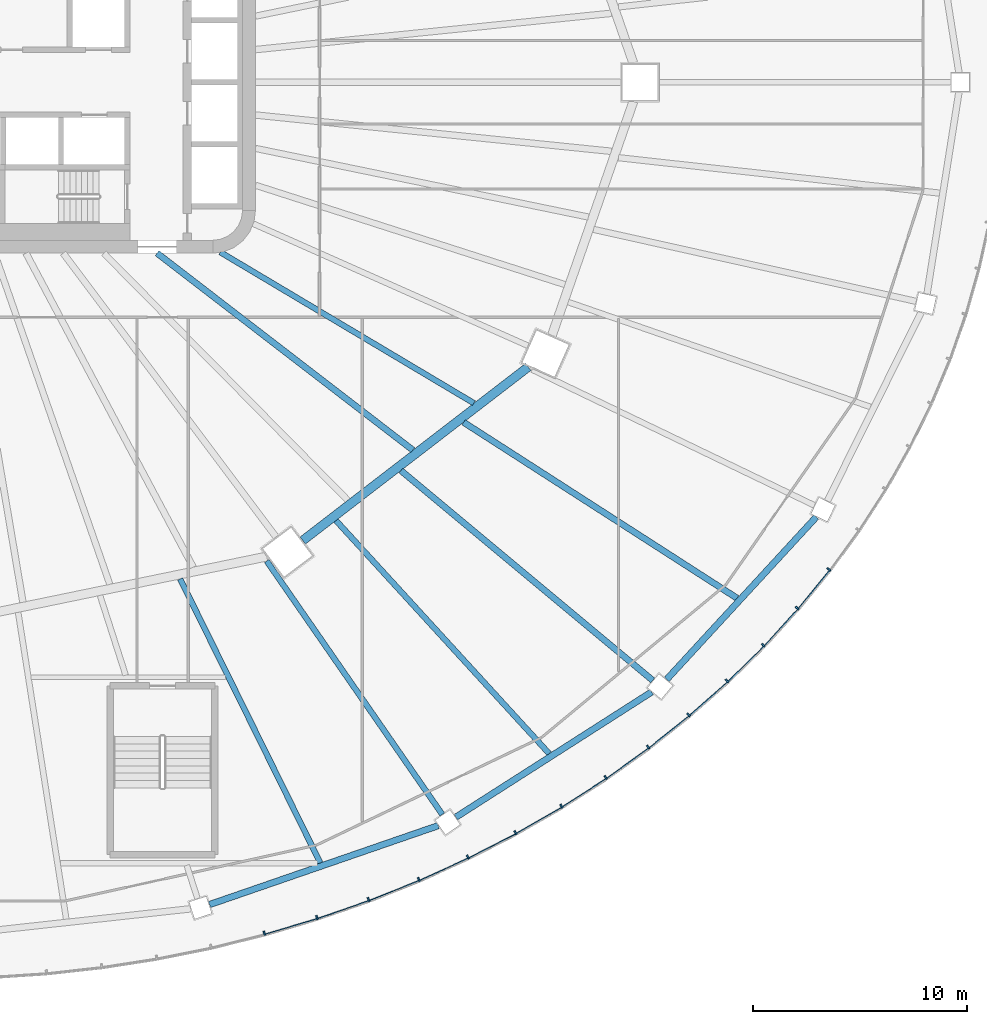
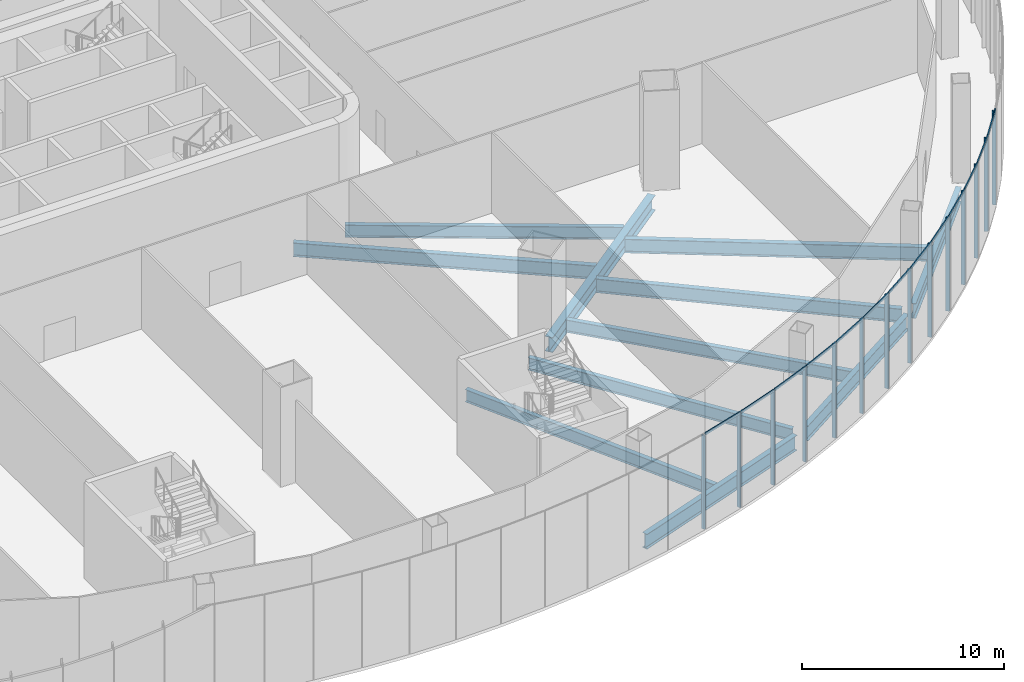
# One storey, part 9 of 37: 27 members, 11 beams, 3 elements without a shape of their own.
"""IFC4 building model written with IfcOpenShell, lengths in metres."""

from ifc_helpers import new_model, si_unit, direction, frame, origin, origin_2d, place, context, subcontext, project, spatial, rectangle, i_section, extrude, material, layer, layer_set, material_profile, profile_set, type_object, element, aggregate, save


model = new_model("IFC4")

# Units and contexts
model_context = context("Model", 3, precision=1e-05, world=origin(), true_north=direction((0.0, 1.0)))
body_context = subcontext(model_context, "Body", "Model", "MODEL_VIEW")
ifc_project = project(units=[si_unit("LENGTHUNIT", "METRE"), si_unit("AREAUNIT", "SQUARE_METRE"), si_unit("VOLUMEUNIT", "CUBIC_METRE"), si_unit("PLANEANGLEUNIT", "RADIAN"), si_unit("MASSUNIT", "GRAM", prefix="KILO")], contexts=[model_context])

# Site, building, storey
site_placement = place(None, origin())
site = spatial("IfcSite", under=ifc_project, at=site_placement, CompositionType="ELEMENT")
building_placement = place(site_placement, origin())
building = spatial("IfcBuilding", under=site, at=building_placement, Name="Sahrelin Media Tower", CompositionType="ELEMENT")
storey_placement = place(building_placement, frame((0.0, 0.0, 31.39990234375)))
storey = spatial("IfcBuildingStorey", under=building, at=storey_placement, Name="L04", CompositionType="ELEMENT", Elevation=31.39990234375)

# Curtain wall, members
ifc_material_1 = material(Name="Champagne anodised aluminium 6063-T6", Category="aluminium")
ifc_layer = layer(ifc_material_1, 0.14990234375)
ifc_layer_set = layer_set([ifc_layer], Name="Podium ribbon curtain wall")
curtain_wall_type = type_object("IfcCurtainWallType", Name="Podium ribbon curtain wall", PredefinedType="NOTDEFINED", material=ifc_layer_set)
curtain_wall_1_placement = place(storey_placement, frame((12.94091796875, -40.56884765625, 0.0), z_axis=(0.0, 0.0, 1.0), x_axis=(1.0, 0.0, 0.0)))
curtain_wall_1 = element("IfcCurtainWall", 1, at=curtain_wall_1_placement, inside=storey, type_object=curtain_wall_type, Name="L04:CW:L04-P19", PredefinedType="NOTDEFINED")
ifc_material_profile_1 = material_profile(ifc_material_1, rectangle(XDim=0.080078125, YDim=0.199951171875, at=origin_2d()), Name="Mullion 80x200")
ifc_profile_set_1 = profile_set([ifc_material_profile_1], Name="Champagne anodised aluminium 6063-T6")
member_type_1 = type_object("IfcMemberType", Name="Mullion 80x200 CW5", PredefinedType="MULLION", material=ifc_profile_set_1)
member_1_placement = place(storey_placement, frame((15.41650390625, -39.829345703125, 0.0), z_axis=(0.0, 0.0, 1.0), x_axis=(0.958494922328, 0.285109599754, 0.0)))
member_1 = element("IfcMember", 2, at=member_1_placement, type_object=member_type_1, Name="L04:CWM2:L04-P19", PredefinedType="MULLION", context=body_context, shape_type="SweptSolid", body=[
    extrude(rectangle(XDim=0.080078125, YDim=0.199951171875, at=origin_2d()), origin(), (0.0, 0.0, 1.0), 5.650146484375),
])
member_2_placement = place(storey_placement, frame((17.87890625, -39.09716796875, 0.0), z_axis=(0.0, 0.0, 1.0), x_axis=(0.944458420046, 0.328630937077, 0.0)))
member_2 = element("IfcMember", 3, at=member_2_placement, type_object=member_type_1, Name="L04:CWM3:L04-P19", PredefinedType="MULLION", context=body_context, shape_type="SweptSolid", body=[
    extrude(rectangle(XDim=0.080078125, YDim=0.199951171875, at=origin_2d()), origin(), (0.0, 0.0, 1.0), 5.650146484375),
])
member_3_placement = place(storey_placement, frame((20.292236328125, -38.257568359375, 0.0), z_axis=(0.0, 0.0, 1.0), x_axis=(0.928270482181, 0.371905783648, 0.0)))
member_3 = element("IfcMember", 4, at=member_3_placement, type_object=member_type_1, Name="L04:CWM4:L04-P19", PredefinedType="MULLION", context=body_context, shape_type="SweptSolid", body=[
    extrude(rectangle(XDim=0.080078125, YDim=0.199951171875, at=origin_2d()), origin(), (0.0, 0.0, 1.0), 5.650146484375),
])
member_4_placement = place(storey_placement, frame((22.649658203125, -37.31298828125, 0.0), z_axis=(0.0, 0.0, 1.0), x_axis=(0.909841810065, 0.414955275491, 0.0)))
member_4 = element("IfcMember", 5, at=member_4_placement, type_object=member_type_1, Name="L04:CWM5:L04-P19", PredefinedType="MULLION", context=body_context, shape_type="SweptSolid", body=[
    extrude(rectangle(XDim=0.080078125, YDim=0.199951171875, at=origin_2d()), origin(), (0.0, 0.0, 1.0), 5.650146484375),
])

curtain_wall_2_placement = place(storey_placement, frame((25.0, -36.373046875, 0.0), z_axis=(0.0, 0.0, 1.0), x_axis=(1.0, 0.0, 0.0)))
curtain_wall_2 = element("IfcCurtainWall", 6, at=curtain_wall_2_placement, inside=storey, type_object=curtain_wall_type, Name="L04:CW:L04-P20", PredefinedType="NOTDEFINED")
member_5_placement = place(storey_placement, frame((24.945068359375, -36.266357421875, 0.0), z_axis=(0.0, 0.0, 1.0), x_axis=(0.889123403251, 0.457667536309, 0.0)))
member_5 = element("IfcMember", 7, at=member_5_placement, type_object=member_type_1, Name="L04:CWM1:L04-P20", PredefinedType="MULLION", context=body_context, shape_type="SweptSolid", body=[
    extrude(rectangle(XDim=0.080078125, YDim=0.199951171875, at=origin_2d()), origin(), (0.0, 0.0, 1.0), 5.650146484375),
])
member_6_placement = place(storey_placement, frame((27.172119140625, -35.120361328125, 0.0), z_axis=(0.0, 0.0, 1.0), x_axis=(0.866028894422, 0.49999395399, 0.0)))
member_6 = element("IfcMember", 8, at=member_6_placement, type_object=member_type_1, Name="L04:CWM2:L04-P20", PredefinedType="MULLION", context=body_context, shape_type="SweptSolid", body=[
    extrude(rectangle(XDim=0.080078125, YDim=0.199951171875, at=origin_2d()), origin(), (0.0, 0.0, 1.0), 5.650146484375),
])
member_7_placement = place(storey_placement, frame((29.32421875, -33.877685546875, 0.0), z_axis=(0.0, 0.0, 1.0), x_axis=(0.840519327336, 0.541781561494, 0.0)))
member_7 = element("IfcMember", 9, at=member_7_placement, type_object=member_type_1, Name="L04:CWM3:L04-P20", PredefinedType="MULLION", context=body_context, shape_type="SweptSolid", body=[
    extrude(rectangle(XDim=0.080078125, YDim=0.199951171875, at=origin_2d()), origin(), (0.0, 0.0, 1.0), 5.650146484375),
])
member_8_placement = place(storey_placement, frame((31.39599609375, -32.54248046875, 0.0), z_axis=(0.0, 0.0, 1.0), x_axis=(0.812532432251, 0.582915985834, 0.0)))
member_8 = element("IfcMember", 10, at=member_8_placement, type_object=member_type_1, Name="L04:CWM4:L04-P20", PredefinedType="MULLION", context=body_context, shape_type="SweptSolid", body=[
    extrude(rectangle(XDim=0.080078125, YDim=0.199951171875, at=origin_2d()), origin(), (0.0, 0.0, 1.0), 5.650146484375),
])
member_9_placement = place(storey_placement, frame((33.381591796875, -31.118408203125, 0.0), z_axis=(0.0, 0.0, 1.0), x_axis=(0.781960183728, 0.623328381405, 0.0)))
member_9 = element("IfcMember", 11, at=member_9_placement, type_object=member_type_1, Name="L04:CWM5:L04-P20", PredefinedType="MULLION", context=body_context, shape_type="SweptSolid", body=[
    extrude(rectangle(XDim=0.080078125, YDim=0.199951171875, at=origin_2d()), origin(), (0.0, 0.0, 1.0), 5.650146484375),
])

curtain_wall_3_placement = place(storey_placement, frame((35.355224609375, -29.698486328125, 0.0), z_axis=(0.0, 0.0, 1.0), x_axis=(1.0, 0.0, 0.0)))
curtain_wall_3 = element("IfcCurtainWall", 12, at=curtain_wall_3_placement, inside=storey, type_object=curtain_wall_type, Name="L04:CW:L04-P21", PredefinedType="NOTDEFINED")
member_10_placement = place(storey_placement, frame((35.27587890625, -29.608642578125, 0.0), z_axis=(0.0, 0.0, 1.0), x_axis=(0.748788005735, 0.662809567272, 0.0)))
member_10 = element("IfcMember", 13, at=member_10_placement, type_object=member_type_1, Name="L04:CWM1:L04-P21", PredefinedType="MULLION", context=body_context, shape_type="SweptSolid", body=[
    extrude(rectangle(XDim=0.080078125, YDim=0.199951171875, at=origin_2d()), origin(), (0.0, 0.0, 1.0), 5.650146484375),
])
member_11_placement = place(storey_placement, frame((37.072998046875, -28.017822265625, 0.0), z_axis=(0.0, 0.0, 1.0), x_axis=(0.712973923933, 0.70119054742, 0.0)))
member_11 = element("IfcMember", 14, at=member_11_placement, type_object=member_type_1, Name="L04:CWM2:L04-P21", PredefinedType="MULLION", context=body_context, shape_type="SweptSolid", body=[
    extrude(rectangle(XDim=0.080078125, YDim=0.199951171875, at=origin_2d()), origin(), (0.0, 0.0, 1.0), 5.650146484375),
])
member_12_placement = place(storey_placement, frame((38.768798828125, -26.3505859375, 0.0), z_axis=(0.0, 0.0, 1.0), x_axis=(0.67442997344, 0.738338818514, 0.0)))
member_12 = element("IfcMember", 15, at=member_12_placement, type_object=member_type_1, Name="L04:CWM3:L04-P21", PredefinedType="MULLION", context=body_context, shape_type="SweptSolid", body=[
    extrude(rectangle(XDim=0.080078125, YDim=0.199951171875, at=origin_2d()), origin(), (0.0, 0.0, 1.0), 5.650146484375),
])
member_13_placement = place(storey_placement, frame((40.35791015625, -24.611083984375, 0.0), z_axis=(0.0, 0.0, 1.0), x_axis=(0.633234995933, 0.77395958546, 0.0)))
member_13 = element("IfcMember", 16, at=member_13_placement, type_object=member_type_1, Name="L04:CWM4:L04-P21", PredefinedType="MULLION", context=body_context, shape_type="SweptSolid", body=[
    extrude(rectangle(XDim=0.080078125, YDim=0.199951171875, at=origin_2d()), origin(), (0.0, 0.0, 1.0), 5.650146484375),
])
member_14_placement = place(storey_placement, frame((41.836669921875, -22.80419921875, 0.0), z_axis=(0.0, 0.0, 1.0), x_axis=(0.589385309161, 0.807852064022, 0.0)))
member_14 = element("IfcMember", 17, at=member_14_placement, type_object=member_type_1, Name="L04:CWM5:L04-P21", PredefinedType="MULLION", context=body_context, shape_type="SweptSolid", body=[
    extrude(rectangle(XDim=0.080078125, YDim=0.199951171875, at=origin_2d()), origin(), (0.0, 0.0, 1.0), 5.650146484375),
])

# Beams
ifc_material_2 = material(Name="Steel S355", Category="steel")
ifc_material_profile_2 = material_profile(ifc_material_2, i_section(OverallWidth=0.30322265625, OverallDepth=0.903076171875, WebThickness=0.01513671875, FlangeThickness=0.020263671875, FilletRadius=0.01904296875, at=origin_2d()), Name="UB 914x305x201")
ifc_profile_set_2 = profile_set([ifc_material_profile_2], Name="Steel S355")
beam_type_1 = type_object("IfcBeamType", Name="Podium edge girder PE11", PredefinedType="BEAM", material=ifc_profile_set_2)
beam_1_placement = place(storey_placement, frame((12.848876953125, -38.489990234375, -0.6513671875), z_axis=(0.94527240249, 0.32628221694, 0.0), x_axis=(-0.32628221694, 0.94527240249, 0.0)))
element("IfcBeam", 18, at=beam_1_placement, inside=storey, type_object=beam_type_1, Name="Podium edge girder L04-20", PredefinedType="BEAM", context=body_context, shape_type="SweptSolid", body=[
    extrude(i_section(OverallWidth=0.30322265625, OverallDepth=0.903076171875, WebThickness=0.01513671875, FlangeThickness=0.020263671875, FilletRadius=0.01904296875, at=origin_2d()), origin(), (0.0, 0.0, 1.0), 11.329345703125),
])
beam_2_placement = place(storey_placement, frame((24.37939453125, -34.3984375, -0.6513671875), z_axis=(0.842485743715, 0.538718638657, 0.0), x_axis=(-0.538718638657, 0.842485743715, 0.0)))
element("IfcBeam", 19, at=beam_2_placement, inside=storey, type_object=beam_type_1, Name="Podium edge girder L04-21", PredefinedType="BEAM", context=body_context, shape_type="SweptSolid", body=[
    extrude(i_section(OverallWidth=0.30322265625, OverallDepth=0.903076171875, WebThickness=0.01513671875, FlangeThickness=0.020263671875, FilletRadius=0.01904296875, at=origin_2d()), origin(), (0.0, 0.0, 1.0), 10.87744140625),
])
beam_3_placement = place(storey_placement, frame((34.246337890625, -27.952880859375, -0.6513671875), z_axis=(0.677370529771, 0.735642008995, 0.0), x_axis=(-0.735642008995, 0.677370529771, 0.0)))
element("IfcBeam", 20, at=beam_3_placement, inside=storey, type_object=beam_type_1, Name="Podium edge girder L04-22", PredefinedType="BEAM", context=body_context, shape_type="SweptSolid", body=[
    extrude(i_section(OverallWidth=0.30322265625, OverallDepth=0.903076171875, WebThickness=0.01513671875, FlangeThickness=0.020263671875, FilletRadius=0.01904296875, at=origin_2d()), origin(), (0.0, 0.0, 1.0), 10.340087890625),
])
ifc_material_profile_3 = material_profile(ifc_material_2, i_section(OverallWidth=0.41845703125, OverallDepth=0.911865234375, WebThickness=0.019287109375, FlangeThickness=0.031982421875, FilletRadius=0.024169921875, at=origin_2d()), Name="UB 914x419x343")
ifc_profile_set_3 = profile_set([ifc_material_profile_3], Name="Steel S355")
beam_type_2 = type_object("IfcBeamType", Name="Podium ring girder PG12", PredefinedType="BEAM", material=ifc_profile_set_3)
beam_4_placement = place(storey_placement, frame((17.21337890625, -21.447998046875, -0.65576171875), z_axis=(0.792445416108, 0.609942835428, 0.0), x_axis=(-0.609942835428, 0.792445416108, 0.0)))
element("IfcBeam", 21, at=beam_4_placement, inside=storey, type_object=beam_type_2, Name="Podium girder L04-11", PredefinedType="BEAM", context=body_context, shape_type="SweptSolid", body=[
    extrude(i_section(OverallWidth=0.41845703125, OverallDepth=0.911865234375, WebThickness=0.019287109375, FlangeThickness=0.031982421875, FilletRadius=0.024169921875, at=origin_2d()), origin(), (0.0, 0.0, 1.0), 13.318603515625),
])
ifc_material_profile_4 = material_profile(ifc_material_2, i_section(OverallWidth=0.291748046875, OverallDepth=0.8349609375, WebThickness=0.013916015625, FlangeThickness=0.018798828125, FilletRadius=0.017822265625, at=origin_2d()), Name="UB 838x292x176")
ifc_profile_set_4 = profile_set([ifc_material_profile_4], Name="Steel S355")
beam_type_3 = type_object("IfcBeamType", Name="Radial primary beam PB10", PredefinedType="BEAM", material=ifc_profile_set_4)
beam_5_placement = place(storey_placement, frame((10.393798828125, -8.0, -0.6171875), z_axis=(0.79244196099, -0.609947324335, 0.0), x_axis=(0.609947324335, 0.79244196099, 0.0)))
element("IfcBeam", 22, at=beam_5_placement, inside=storey, type_object=beam_type_3, Name="Radial beam L04-22", PredefinedType="BEAM", context=body_context, shape_type="SweptSolid", body=[
    extrude(i_section(OverallWidth=0.291748046875, OverallDepth=0.8349609375, WebThickness=0.013916015625, FlangeThickness=0.018798828125, FilletRadius=0.017822265625, at=origin_2d()), origin(), (0.0, 0.0, 1.0), 15.1103515625),
])
beam_6_placement = place(storey_placement, frame((21.809326171875, -18.174560546875, -0.6171875), z_axis=(0.768229105739, -0.640175008178, 0.0), x_axis=(0.640175008178, 0.768229105739, 0.0)))
element("IfcBeam", 23, at=beam_6_placement, inside=storey, type_object=beam_type_3, Name="Radial beam L04-26", PredefinedType="BEAM", context=body_context, shape_type="SweptSolid", body=[
    extrude(i_section(OverallWidth=0.291748046875, OverallDepth=0.8349609375, WebThickness=0.013916015625, FlangeThickness=0.018798828125, FilletRadius=0.017822265625, at=origin_2d()), origin(), (0.0, 0.0, 1.0), 15.342041015625),
])
ifc_material_profile_5 = material_profile(ifc_material_2, i_section(OverallWidth=0.26513671875, OverallDepth=0.75390625, WebThickness=0.0126953125, FlangeThickness=0.017578125, FilletRadius=0.0166015625, at=origin_2d()), Name="UB 762x267x147")
ifc_profile_set_5 = profile_set([ifc_material_profile_5], Name="Steel S355")
beam_type_4 = type_object("IfcBeamType", Name="Radial primary beam PB9", PredefinedType="BEAM", material=ifc_profile_set_5)
beam_7_placement = place(storey_placement, frame((15.527099609375, -22.411376953125, -0.576904296875), z_axis=(0.569493278726, -0.821995988729, 0.0), x_axis=(0.821995988729, 0.569493278726, 0.0)))
element("IfcBeam", 24, at=beam_7_placement, inside=storey, type_object=beam_type_4, Name="Radial beam L04-25", PredefinedType="BEAM", context=body_context, shape_type="SweptSolid", body=[
    extrude(i_section(OverallWidth=0.26513671875, OverallDepth=0.75390625, WebThickness=0.0126953125, FlangeThickness=0.017578125, FilletRadius=0.0166015625, at=origin_2d()), origin(), (0.0, 0.0, 1.0), 14.427734375),
])
ifc_material_profile_6 = material_profile(ifc_material_2, i_section(OverallWidth=0.291748046875, OverallDepth=0.8349609375, WebThickness=0.013916015625, FlangeThickness=0.018798828125, FilletRadius=0.017822265625, at=origin_2d()), Name="UB 838x292x176")
ifc_profile_set_6 = profile_set([ifc_material_profile_6], Name="Steel S355")
beam_type_5 = type_object("IfcBeamType", Name="Radial secondary beam SB10", PredefinedType="BEAM", material=ifc_profile_set_6)
beam_8_placement = place(storey_placement, frame((24.744140625, -15.91552734375, -0.6171875), z_axis=(0.84104292767, -0.540968385228, 0.0), x_axis=(0.540968385228, 0.84104292767, 0.0)))
element("IfcBeam", 25, at=beam_8_placement, inside=storey, type_object=beam_type_5, Name="Secondary beam L04-22", PredefinedType="BEAM", context=body_context, shape_type="SweptSolid", body=[
    extrude(i_section(OverallWidth=0.291748046875, OverallDepth=0.8349609375, WebThickness=0.013916015625, FlangeThickness=0.018798828125, FilletRadius=0.017822265625, at=origin_2d()), origin(), (0.0, 0.0, 1.0), 15.218505859375),
])
ifc_material_profile_7 = material_profile(ifc_material_2, i_section(OverallWidth=0.26513671875, OverallDepth=0.75390625, WebThickness=0.0126953125, FlangeThickness=0.017578125, FilletRadius=0.0166015625, at=origin_2d()), Name="UB 762x267x147")
ifc_profile_set_7 = profile_set([ifc_material_profile_7], Name="Steel S355")
beam_type_6 = type_object("IfcBeamType", Name="Radial secondary beam SB9", PredefinedType="BEAM", material=ifc_profile_set_7)
beam_9_placement = place(storey_placement, frame((13.356201171875, -7.953125, -0.576904296875), z_axis=(0.859199265621, -0.511641106594, 0.0), x_axis=(0.511641106594, 0.859199265621, 0.0)))
element("IfcBeam", 26, at=beam_9_placement, inside=storey, type_object=beam_type_6, Name="Secondary beam L04-22", PredefinedType="BEAM", context=body_context, shape_type="SweptSolid", body=[
    extrude(i_section(OverallWidth=0.26513671875, OverallDepth=0.75390625, WebThickness=0.0126953125, FlangeThickness=0.017578125, FilletRadius=0.0166015625, at=origin_2d()), origin(), (0.0, 0.0, 1.0), 13.810791015625),
])
beam_10_placement = place(storey_placement, frame((11.47412109375, -23.247314453125, -0.576904296875), z_axis=(0.442602611298, -0.896717864477, 0.0), x_axis=(0.896717864477, 0.442602611298, 0.0)))
element("IfcBeam", 27, at=beam_10_placement, inside=storey, type_object=beam_type_6, Name="Secondary beam L04-20", PredefinedType="BEAM", context=body_context, shape_type="SweptSolid", body=[
    extrude(i_section(OverallWidth=0.26513671875, OverallDepth=0.75390625, WebThickness=0.0126953125, FlangeThickness=0.017578125, FilletRadius=0.0166015625, at=origin_2d()), origin(), (0.0, 0.0, 1.0), 14.8232421875),
])
beam_11_placement = place(storey_placement, frame((18.7685546875, -20.514892578125, -0.576904296875), z_axis=(0.675004282666, -0.737813810106, 0.0), x_axis=(0.737813810106, 0.675004282666, 0.0)))
element("IfcBeam", 28, at=beam_11_placement, inside=storey, type_object=beam_type_6, Name="Secondary beam L04-21", PredefinedType="BEAM", context=body_context, shape_type="SweptSolid", body=[
    extrude(i_section(OverallWidth=0.26513671875, OverallDepth=0.75390625, WebThickness=0.0126953125, FlangeThickness=0.017578125, FilletRadius=0.0166015625, at=origin_2d()), origin(), (0.0, 0.0, 1.0), 14.7861328125),
])

# Member
ifc_material_profile_8 = material_profile(ifc_material_1, rectangle(XDim=0.06005859375, YDim=0.14990234375, at=origin_2d()), Name="Transom 60x150")
ifc_profile_set_8 = profile_set([ifc_material_profile_8], Name="Champagne anodised aluminium 6063-T6")
member_type_2 = type_object("IfcMemberType", Name="Transom 60x150 CW5", PredefinedType="USERDEFINED", material=ifc_profile_set_8)
member_15_placement = place(storey_placement, frame((15.484619140625, -39.882080078125, 5.72509765625), z_axis=(0.958515646139, 0.285039920199, 0.0), x_axis=(-0.285039920199, 0.958515646139, 0.0)))
member_15 = element("IfcMember", 29, at=member_15_placement, type_object=member_type_2, Name="L04:CWT2a:L04-P19", ObjectType="TRANSOM", PredefinedType="USERDEFINED", context=body_context, shape_type="SweptSolid", body=[
    extrude(rectangle(XDim=0.06005859375, YDim=0.14990234375, at=origin_2d()), origin(), (0.0, 0.0, 1.0), 2.524169921875),
])

member_16_placement = place(storey_placement, frame((17.94921875, -39.146728515625, 5.72509765625), z_axis=(0.944469242615, 0.328599832248, 0.0), x_axis=(-0.328599832248, 0.944469242615, 0.0)))
member_16 = element("IfcMember", 30, at=member_16_placement, type_object=member_type_2, Name="L04:CWT3a:L04-P19", ObjectType="TRANSOM", PredefinedType="USERDEFINED", context=body_context, shape_type="SweptSolid", body=[
    extrude(rectangle(XDim=0.06005859375, YDim=0.14990234375, at=origin_2d()), origin(), (0.0, 0.0, 1.0), 2.510498046875),
])

member_17_placement = place(storey_placement, frame((20.364501953125, -38.303955078125, 5.72509765625), z_axis=(0.928280887293, 0.371879811615, 0.0), x_axis=(-0.371879811615, 0.928280887293, 0.0)))
member_17 = element("IfcMember", 31, at=member_17_placement, type_object=member_type_2, Name="L04:CWT4a:L04-P19", ObjectType="TRANSOM", PredefinedType="USERDEFINED", context=body_context, shape_type="SweptSolid", body=[
    extrude(rectangle(XDim=0.06005859375, YDim=0.14990234375, at=origin_2d()), origin(), (0.0, 0.0, 1.0), 2.495361328125),
])

member_18_placement = place(storey_placement, frame((22.72412109375, -37.356201171875, 5.72509765625), z_axis=(0.909832749786, 0.414975140722, 0.0), x_axis=(-0.414975140722, 0.909832749786, 0.0)))
member_18 = element("IfcMember", 32, at=member_18_placement, type_object=member_type_2, Name="L04:CWT5a:L04-P19", ObjectType="TRANSOM", PredefinedType="USERDEFINED", context=body_context, shape_type="SweptSolid", body=[
    extrude(rectangle(XDim=0.06005859375, YDim=0.14990234375, at=origin_2d()), origin(), (0.0, 0.0, 1.0), 2.478515625),
])

aggregate(curtain_wall_1, [member_1, member_15, member_2, member_16, member_3, member_17, member_4, member_18])

member_19_placement = place(storey_placement, frame((25.021484375, -36.305908203125, 5.72509765625), z_axis=(0.88908592798, 0.457740333233, 0.0), x_axis=(-0.457740333233, 0.88908592798, 0.0)))
member_19 = element("IfcMember", 33, at=member_19_placement, type_object=member_type_2, Name="L04:CWT1a:L04-P20", ObjectType="TRANSOM", PredefinedType="USERDEFINED", context=body_context, shape_type="SweptSolid", body=[
    extrude(rectangle(XDim=0.06005859375, YDim=0.14990234375, at=origin_2d()), origin(), (0.0, 0.0, 1.0), 2.46044921875),
])

member_20_placement = place(storey_placement, frame((27.250244140625, -35.156005859375, 5.72509765625), z_axis=(0.86599404773, 0.500054306346, 0.0), x_axis=(-0.500054306346, 0.86599404773, 0.0)))
member_20 = element("IfcMember", 34, at=member_20_placement, type_object=member_type_2, Name="L04:CWT2a:L04-P20", ObjectType="TRANSOM", PredefinedType="USERDEFINED", context=body_context, shape_type="SweptSolid", body=[
    extrude(rectangle(XDim=0.06005859375, YDim=0.14990234375, at=origin_2d()), origin(), (0.0, 0.0, 1.0), 2.441162109375),
])

member_21_placement = place(storey_placement, frame((29.404296875, -33.90966796875, 5.72509765625), z_axis=(0.840515923585, 0.541786842033, 0.0), x_axis=(-0.541786842033, 0.840515923585, 0.0)))
member_21 = element("IfcMember", 35, at=member_21_placement, type_object=member_type_2, Name="L04:CWT3a:L04-P20", ObjectType="TRANSOM", PredefinedType="USERDEFINED", context=body_context, shape_type="SweptSolid", body=[
    extrude(rectangle(XDim=0.06005859375, YDim=0.14990234375, at=origin_2d()), origin(), (0.0, 0.0, 1.0), 2.420654296875),
])

member_22_placement = place(storey_placement, frame((31.4775390625, -32.5703125, 5.72509765625), z_axis=(0.812528823306, 0.582921016345, 0.0), x_axis=(-0.582921016345, 0.812528823306, 0.0)))
member_22 = element("IfcMember", 36, at=member_22_placement, type_object=member_type_2, Name="L04:CWT4a:L04-P20", ObjectType="TRANSOM", PredefinedType="USERDEFINED", context=body_context, shape_type="SweptSolid", body=[
    extrude(rectangle(XDim=0.06005859375, YDim=0.14990234375, at=origin_2d()), origin(), (0.0, 0.0, 1.0), 2.39990234375),
])

member_23_placement = place(storey_placement, frame((33.46435546875, -31.141845703125, 5.72509765625), z_axis=(0.781989191913, 0.623291989144, 0.0), x_axis=(-0.623291989144, 0.781989191913, 0.0)))
member_23 = element("IfcMember", 37, at=member_23_placement, type_object=member_type_2, Name="L04:CWT5a:L04-P20", ObjectType="TRANSOM", PredefinedType="USERDEFINED", context=body_context, shape_type="SweptSolid", body=[
    extrude(rectangle(XDim=0.06005859375, YDim=0.14990234375, at=origin_2d()), origin(), (0.0, 0.0, 1.0), 2.37841796875),
])

aggregate(curtain_wall_2, [member_5, member_19, member_6, member_20, member_7, member_21, member_8, member_22, member_9, member_23])

member_24_placement = place(storey_placement, frame((35.359619140625, -29.6279296875, 5.72509765625), z_axis=(0.74879678706, 0.662799646717, 0.0), x_axis=(-0.662799646717, 0.74879678706, 0.0)))
member_24 = element("IfcMember", 38, at=member_24_placement, type_object=member_type_2, Name="L04:CWT1a:L04-P21", ObjectType="TRANSOM", PredefinedType="USERDEFINED", context=body_context, shape_type="SweptSolid", body=[
    extrude(rectangle(XDim=0.06005859375, YDim=0.14990234375, at=origin_2d()), origin(), (0.0, 0.0, 1.0), 2.356201171875),
])

member_25_placement = place(storey_placement, frame((37.15771484375, -28.03271484375, 5.72509765625), z_axis=(0.713042850278, 0.70112045589, 0.0), x_axis=(-0.70112045589, 0.713042850278, 0.0)))
member_25 = element("IfcMember", 39, at=member_25_placement, type_object=member_type_2, Name="L04:CWT2a:L04-P21", ObjectType="TRANSOM", PredefinedType="USERDEFINED", context=body_context, shape_type="SweptSolid", body=[
    extrude(rectangle(XDim=0.06005859375, YDim=0.14990234375, at=origin_2d()), origin(), (0.0, 0.0, 1.0), 2.33447265625),
])

member_26_placement = place(storey_placement, frame((38.85400390625, -26.36083984375, 5.72509765625), z_axis=(0.674452068042, 0.738318635762, 0.0), x_axis=(-0.738318635762, 0.674452068042, 0.0)))
member_26 = element("IfcMember", 40, at=member_26_placement, type_object=member_type_2, Name="L04:CWT3a:L04-P21", ObjectType="TRANSOM", PredefinedType="USERDEFINED", context=body_context, shape_type="SweptSolid", body=[
    extrude(rectangle(XDim=0.06005859375, YDim=0.14990234375, at=origin_2d()), origin(), (0.0, 0.0, 1.0), 2.312744140625),
])

member_27_placement = place(storey_placement, frame((40.44384765625, -24.61669921875, 5.72509765625), z_axis=(0.633168167393, 0.774014258137, 0.0), x_axis=(-0.774014258137, 0.633168167393, 0.0)))
member_27 = element("IfcMember", 41, at=member_27_placement, type_object=member_type_2, Name="L04:CWT4a:L04-P21", ObjectType="TRANSOM", PredefinedType="USERDEFINED", context=body_context, shape_type="SweptSolid", body=[
    extrude(rectangle(XDim=0.06005859375, YDim=0.14990234375, at=origin_2d()), origin(), (0.0, 0.0, 1.0), 2.29150390625),
])

aggregate(curtain_wall_3, [member_10, member_24, member_11, member_25, member_12, member_26, member_13, member_27, member_14])

save(model, "model.ifc")
